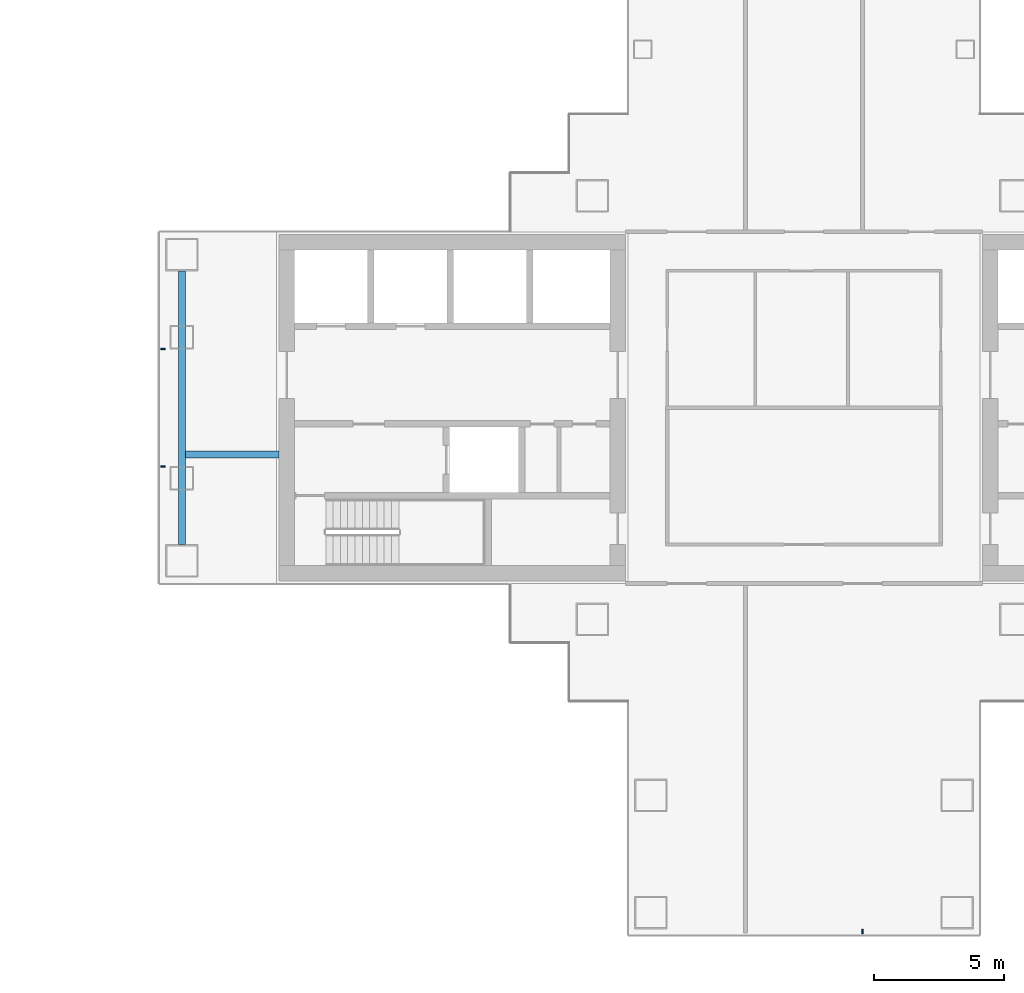
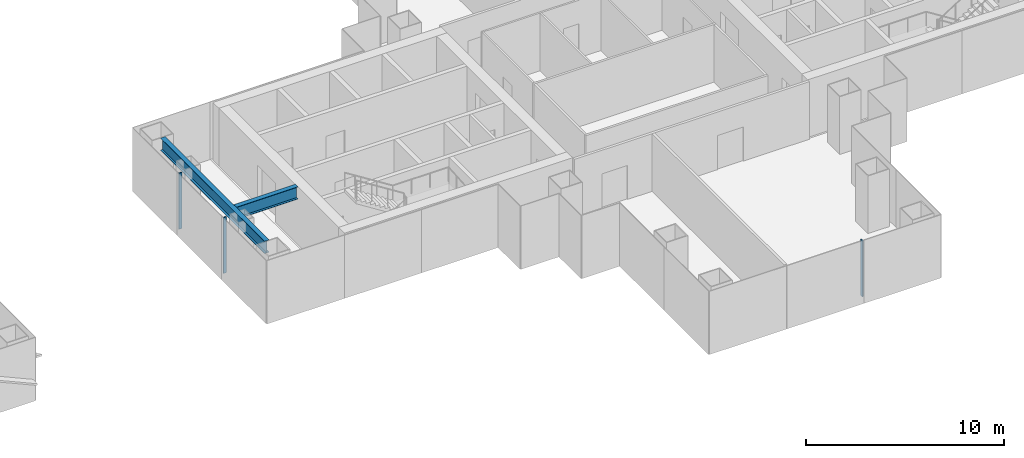
# One storey, part 6 of 18: 3 members, 2 beams, 2 elements without a shape of their own.
"""IFC4 building model written with IfcOpenShell, lengths in metres."""

from ifc_helpers import new_model, si_unit, direction, frame, origin, origin_2d, place, context, subcontext, project, spatial, rectangle, i_section, extrude, material, layer, layer_set, material_profile, profile_set, type_object, element, aggregate, save


model = new_model("IFC4")

# Units and contexts
model_context = context("Model", 3, precision=1e-05, world=origin(), true_north=direction((0.0, 1.0)))
body_context = subcontext(model_context, "Body", "Model", "MODEL_VIEW")
ifc_project = project(units=[si_unit("LENGTHUNIT", "METRE"), si_unit("AREAUNIT", "SQUARE_METRE"), si_unit("VOLUMEUNIT", "CUBIC_METRE"), si_unit("PLANEANGLEUNIT", "RADIAN"), si_unit("MASSUNIT", "GRAM", prefix="KILO")], contexts=[model_context])

# Site, building, storey
site_placement = place(None, origin())
site = spatial("IfcSite", under=ifc_project, at=site_placement, CompositionType="ELEMENT")
building_placement = place(site_placement, origin())
building = spatial("IfcBuilding", under=site, at=building_placement, Name="Shamsa Quay Exchange Towers", CompositionType="ELEMENT")
storey_placement = place(building_placement, frame((0.0, 0.0, 113.10009765625)))
storey = spatial("IfcBuildingStorey", under=building, at=storey_placement, Name="L26", CompositionType="ELEMENT", Elevation=113.10009765625)

# Curtain wall, members
ifc_material_1 = material(Name="Aluminium EN AW-6063 T6, black anodised", Category="aluminium")
ifc_layer = layer(ifc_material_1, 0.280029296875)
ifc_layer_set = layer_set([ifc_layer], Name="CW-1 UNITISED VISION GLASS")
curtain_wall_type = type_object("IfcCurtainWallType", Name="CW-1 UNITISED VISION GLASS", PredefinedType="NOTDEFINED", material=ifc_layer_set)
curtain_wall_1_placement = place(storey_placement, origin())
curtain_wall_1 = element("IfcCurtainWall", 1, at=curtain_wall_1_placement, inside=storey, type_object=curtain_wall_type, Name="CW1 T2-END-V+ L26", PredefinedType="NOTDEFINED")
ifc_material_profile_1 = material_profile(ifc_material_1, rectangle(XDim=0.179931640625, YDim=0.06005859375, at=origin_2d()), Name="MU60x180")
ifc_profile_set_1 = profile_set([ifc_material_profile_1], Name="Aluminium EN AW-6063 T6, black anodised")
member_type = type_object("IfcMemberType", Name="CW1 MULLION 60x180", PredefinedType="MULLION", material=ifc_profile_set_1)
member_1_placement = place(storey_placement, frame((9.14990234375, 2.25, 0.0)))
member_1 = element("IfcMember", 2, at=member_1_placement, type_object=member_type, Name="CW1 mullion", PredefinedType="MULLION", context=body_context, shape_type="SweptSolid", body=[
    extrude(rectangle(XDim=0.179931640625, YDim=0.06005859375, at=origin_2d()), origin(), (0.0, 0.0, 1.0), 3.449951171875),
])
member_2_placement = place(storey_placement, frame((9.14990234375, -2.25, 0.0)))
member_2 = element("IfcMember", 3, at=member_2_placement, type_object=member_type, Name="CW1 mullion", PredefinedType="MULLION", context=body_context, shape_type="SweptSolid", body=[
    extrude(rectangle(XDim=0.179931640625, YDim=0.06005859375, at=origin_2d()), origin(), (0.0, 0.0, 1.0), 3.449951171875),
])
aggregate(curtain_wall_1, [member_1, member_2])

# Curtain wall, member
curtain_wall_2_placement = place(storey_placement, origin())
curtain_wall_2 = element("IfcCurtainWall", 4, at=curtain_wall_2_placement, inside=storey, type_object=curtain_wall_type, Name="CW1 T2-END-U- L26", PredefinedType="NOTDEFINED")
member_3_placement = place(storey_placement, frame((36.0, -20.10009765625, 0.0), z_axis=(0.0, 0.0, 1.0), x_axis=(0.0, 1.0, 0.0)))
member_3 = element("IfcMember", 5, at=member_3_placement, type_object=member_type, Name="CW1 mullion", PredefinedType="MULLION", context=body_context, shape_type="SweptSolid", body=[
    extrude(rectangle(XDim=0.179931640625, YDim=0.06005859375, at=origin_2d()), origin(), (0.0, 0.0, 1.0), 3.449951171875),
])
aggregate(curtain_wall_2, [member_3])

# Beams
ifc_material_2 = material(Name="Steel S355", Category="steel")
ifc_material_profile_2 = material_profile(ifc_material_2, i_section(OverallWidth=0.26611328125, OverallDepth=0.7578125, WebThickness=0.013916015625, FlangeThickness=0.019287109375, at=origin_2d()), Name="W30x108")
ifc_profile_set_2 = profile_set([ifc_material_profile_2], Name="Steel S355")
beam_type = type_object("IfcBeamType", Name="End-zone beam W30x108", PredefinedType="BEAM", material=ifc_profile_set_2)
beam_1_placement = place(storey_placement, frame((9.875, -5.25, 3.171142578125), z_axis=(0.0, 1.0, 0.0), x_axis=(-1.0, 0.0, 0.0)))
element("IfcBeam", 6, at=beam_1_placement, inside=storey, type_object=beam_type, Name="End beam T2 V+ end zone L26", PredefinedType="BEAM", context=body_context, shape_type="SweptSolid", body=[
    extrude(i_section(OverallWidth=0.26611328125, OverallDepth=0.7578125, WebThickness=0.013916015625, FlangeThickness=0.019287109375, at=origin_2d()), origin(), (0.0, 0.0, 1.0), 10.5),
])
beam_2_placement = place(storey_placement, frame((13.60009765625, -1.800048828125, 3.171142578125), z_axis=(-1.0, 0.0, 0.0), x_axis=(0.0, -1.0, 0.0)))
element("IfcBeam", 7, at=beam_2_placement, inside=storey, type_object=beam_type, Name="Spine beam T2 V+ end zone L26", PredefinedType="BEAM", context=body_context, shape_type="SweptSolid", body=[
    extrude(i_section(OverallWidth=0.26611328125, OverallDepth=0.7578125, WebThickness=0.013916015625, FlangeThickness=0.019287109375, at=origin_2d()), origin(), (0.0, 0.0, 1.0), 3.592041015625),
])

save(model, "model.ifc")
